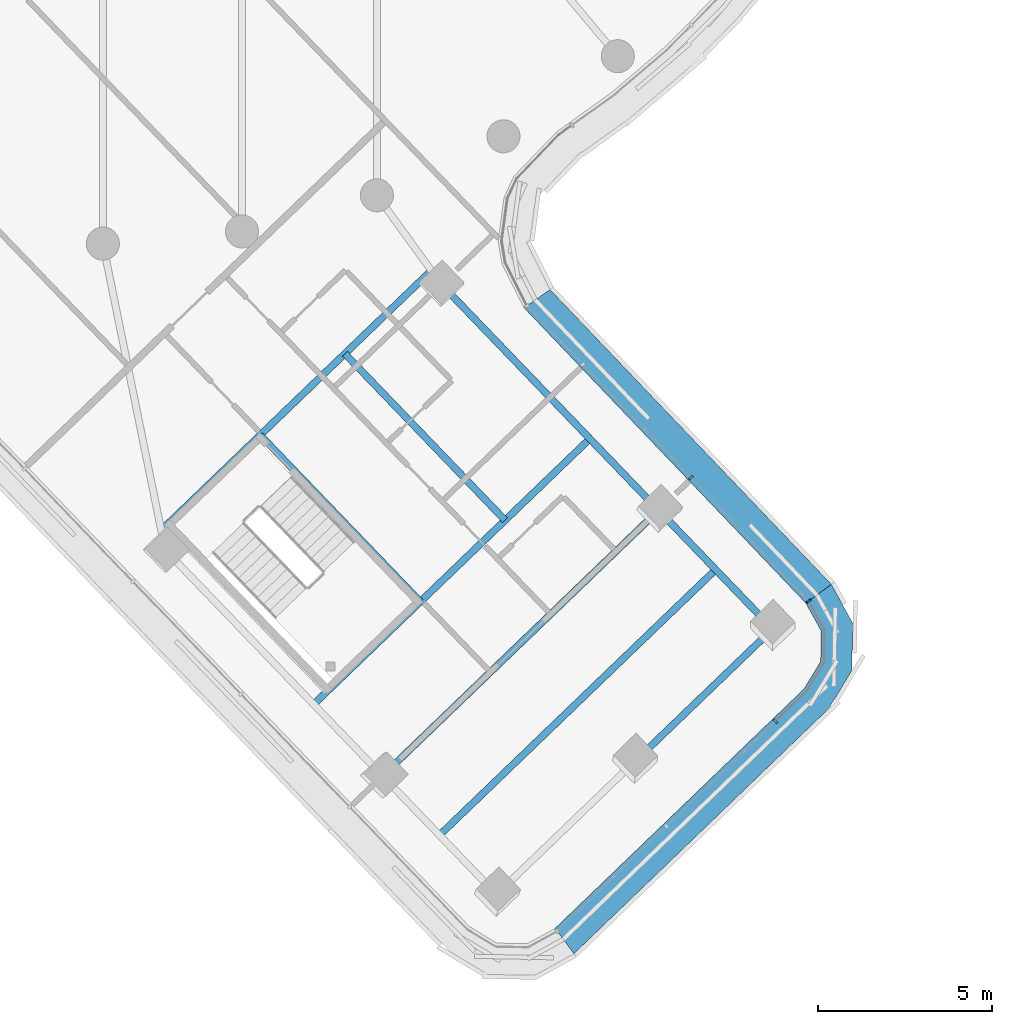
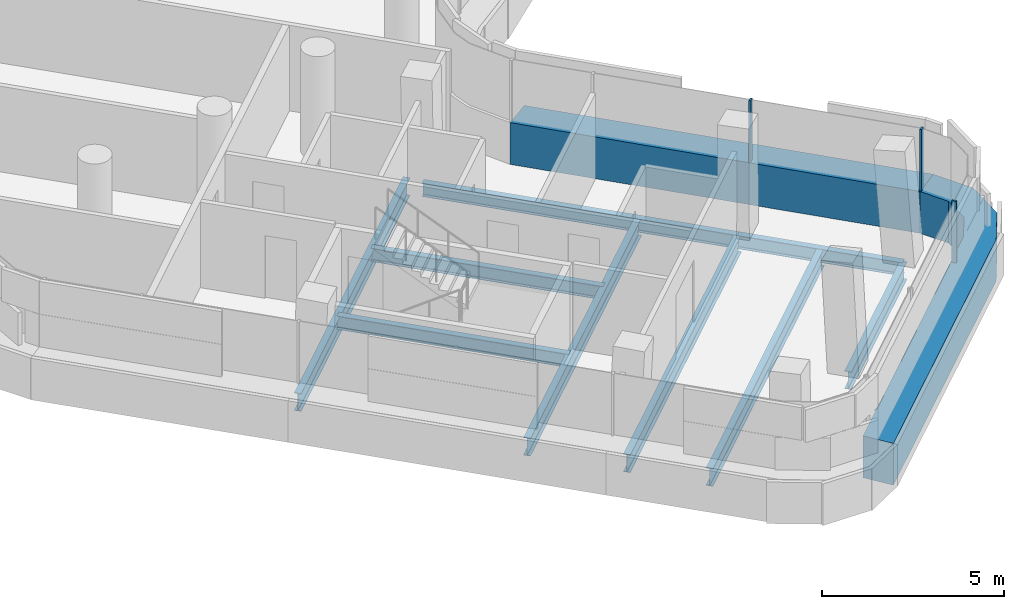
# One storey, part 6 of 34: 9 beams, 5 members, 2 elements without a shape of their own.
"""IFC4 building model written with IfcOpenShell, lengths in metres."""

import ifcopenshell
import ifcopenshell.guid

model = None  # the IFC model being written
_history = None  # IfcOwnerHistory: only IFC2X3 demands one
_inside = {}  # id of a spatial element -> (the spatial element, [elements in it])
_under = {}  # id of a project, library or spatial element -> (it, [spatial elements below it])
_declared = {}  # id of a project -> (the project, [libraries it declares])
_typed = {}  # id of a type object -> (the type object, [elements of that type])
_made_of = {}  # id of a material, layer set ... -> (it, [elements and type objects made of it])


def new_model(schema):
    """Start an empty IFC model of exactly this schema.

    Asked for "IFC4X3", IfcOpenShell would pick the latest addendum, in which some entities
    have other attributes; the version numbers below select the first issue.
    IFC2X3 requires an IfcOwnerHistory on every rooted entity: one is made here for all.
    """
    global model, _history
    if schema == "IFC4X3":
        model = ifcopenshell.file(schema_version=(4, 3, 0, 0))
    else:
        model = ifcopenshell.file(schema=schema)
    _inside.clear()
    _under.clear()
    _declared.clear()
    _typed.clear()
    _made_of.clear()
    _history = None
    if model.schema == "IFC2X3":
        org = make("IfcOrganization", Name="unknown")
        user = make(
            "IfcPersonAndOrganization",
            ThePerson=make("IfcPerson", FamilyName="unknown"),
            TheOrganization=org,
        )
        app = make(
            "IfcApplication",
            ApplicationDeveloper=org,
            Version="unknown",
            ApplicationFullName="unknown",
            ApplicationIdentifier="unknown",
        )
        _history = make(
            "IfcOwnerHistory",
            OwningUser=user,
            OwningApplication=app,
            ChangeAction="ADDED",
            CreationDate=0,
        )
    return model


def make(cls, **values):
    """One entity of the class cls with the attributes given. An attribute that is None is left unset."""
    return model.create_entity(
        cls, **{name: value for name, value in values.items() if value is not None}
    )


def rooted(cls, **values):
    """An entity with a GlobalId (a new one), such as an element, a storey or a relation."""
    return make(cls, GlobalId=ifcopenshell.guid.new(), OwnerHistory=_history, **values)


def si_unit(unit_type, name, prefix=None):
    """IfcSIUnit, for example si_unit("LENGTHUNIT", "METRE", prefix="MILLI")."""
    return make("IfcSIUnit", UnitType=unit_type, Prefix=prefix, Name=name)


def assignment(units):
    """IfcUnitAssignment: the units of a project."""
    return None if units is None else make("IfcUnitAssignment", Units=units)


def point(xyz):
    """IfcCartesianPoint."""
    return None if xyz is None else make("IfcCartesianPoint", Coordinates=xyz)


def direction(xyz):
    """IfcDirection."""
    return None if xyz is None else make("IfcDirection", DirectionRatios=xyz)


def frame(location, z_axis=None, x_axis=None):
    """IfcAxis2Placement3D, a coordinate frame: its origin and axes. An axis left out is left unset."""
    return make(
        "IfcAxis2Placement3D",
        Location=point(location),
        Axis=direction(z_axis),
        RefDirection=direction(x_axis),
    )


def frame_2d(location, x_axis=None):
    """IfcAxis2Placement2D, a coordinate frame in the plane: its origin and x axis."""
    return make(
        "IfcAxis2Placement2D", Location=point(location), RefDirection=direction(x_axis)
    )


def origin():
    """The frame at (0, 0, 0) with its axes left unset."""
    return frame((0.0, 0.0, 0.0))


def origin_2d():
    """The frame at (0, 0) in the plane with its x axis left unset."""
    return frame_2d((0.0, 0.0))


def place(relative_to, where):
    """IfcLocalPlacement: puts the frame where relative to a parent placement (None: the world)."""
    return make(
        "IfcLocalPlacement", PlacementRelTo=relative_to, RelativePlacement=where
    )


def context(
    kind, dimensions, precision=None, world=None, true_north=None, identifier=None
):
    """IfcGeometricRepresentationContext, for example the 3D "Model" context."""
    return make(
        "IfcGeometricRepresentationContext",
        ContextIdentifier=identifier,
        ContextType=kind,
        CoordinateSpaceDimension=dimensions,
        Precision=precision,
        WorldCoordinateSystem=world,
        TrueNorth=true_north,
    )


def subcontext(parent, identifier, kind, view, scale=None):
    """IfcGeometricRepresentationSubContext, for example "Body" below "Model"."""
    return make(
        "IfcGeometricRepresentationSubContext",
        ContextIdentifier=identifier,
        ContextType=kind,
        ParentContext=parent,
        TargetScale=scale,
        TargetView=view,
    )


def project(units=None, contexts=None):
    """IfcProject with its units and contexts."""
    return rooted(
        "IfcProject",
        Name="project",
        RepresentationContexts=contexts,
        UnitsInContext=assignment(units),
    )


def spatial(cls, under=None, at=None, **own):
    """A site, building, storey or space (cls), placed at a placement, below another one or the project."""
    s = rooted(cls, ObjectPlacement=at, **own)
    if under is not None:
        _under.setdefault(under.id(), (under, []))[1].append(s)
    return s


def polyline(points):
    """IfcPolyline through the points."""
    return make("IfcPolyline", Points=[point(p) for p in points])


def profile(cls, at=None, kind="AREA", **sizes):
    """A parametric profile (cls). Its sizes go by their IFC names, for example OverallWidth=200.0."""
    return make(cls, ProfileType=kind, Position=at, **sizes)


def rectangle(**sizes):
    """IfcRectangleProfileDef."""
    return profile("IfcRectangleProfileDef", **sizes)


def i_section(**sizes):
    """IfcIShapeProfileDef."""
    return profile("IfcIShapeProfileDef", **sizes)


def outline(outer, holes=None, kind="AREA"):
    """IfcArbitraryClosedProfileDef: a profile drawn as a closed curve; with holes, ...WithVoids."""
    if holes is None:
        return make("IfcArbitraryClosedProfileDef", ProfileType=kind, OuterCurve=outer)
    return make(
        "IfcArbitraryProfileDefWithVoids",
        ProfileType=kind,
        OuterCurve=outer,
        InnerCurves=holes,
    )


def extrude(swept, where, along, depth):
    """IfcExtrudedAreaSolid: the profile swept, set in the frame where, extruded along a direction by depth."""
    return make(
        "IfcExtrudedAreaSolid",
        SweptArea=swept,
        Position=where,
        ExtrudedDirection=direction(along),
        Depth=depth,
    )


def shape(context_of_items, identifier, shape_type, items):
    """IfcShapeRepresentation: the items that make up one representation, for example the "Body"."""
    return make(
        "IfcShapeRepresentation",
        ContextOfItems=context_of_items,
        RepresentationIdentifier=identifier,
        RepresentationType=shape_type,
        Items=items,
    )


def material(Name=None, Category=None):
    """IfcMaterial."""
    return make("IfcMaterial", Name=Name, Category=Category)


def layer(
    of_material, thickness, ventilated=None, Name=None, Category=None, Priority=None
):
    """IfcMaterialLayer: one layer of a wall or slab, of a material (None: an air gap)."""
    return make(
        "IfcMaterialLayer",
        Material=of_material,
        LayerThickness=thickness,
        IsVentilated=ventilated,
        Name=Name,
        Category=Category,
        Priority=Priority,
    )


def layer_set(layers, Name=None):
    """IfcMaterialLayerSet."""
    return make("IfcMaterialLayerSet", MaterialLayers=layers, LayerSetName=Name)


def material_profile(
    of_material, cross_section, Name=None, Category=None, Priority=None
):
    """IfcMaterialProfile: a cross section and its material."""
    return make(
        "IfcMaterialProfile",
        Name=Name,
        Material=of_material,
        Profile=cross_section,
        Priority=Priority,
        Category=Category,
    )


def profile_set(profiles, Name=None, composite=None):
    """IfcMaterialProfileSet."""
    return make(
        "IfcMaterialProfileSet",
        Name=Name,
        MaterialProfiles=profiles,
        CompositeProfile=composite,
    )


def made_of(thing, what):
    """Note that an element or type object is made of a material, layer set ...; save() writes the relation."""
    if what is not None:
        _made_of.setdefault(what.id(), (what, []))[1].append(thing)
    return thing


def type_object(cls, material=None, **own):
    """A type object (cls), such as IfcWallType, which elements share."""
    return made_of(rooted(cls, **own), material)


def element(
    cls,
    number,
    at=None,
    inside=None,
    cuts=None,
    type_object=None,
    material=None,
    context=None,
    identifier="Body",
    shape_type=None,
    held_by="IfcProductDefinitionShape",
    body=None,
    shapes=None,
    **own,
):
    """One element of the class cls, such as IfcWall. Its Tag is "e" and its number.

    at: its placement. inside: the storey or other place that contains it. cuts: it is an
    opening in that element (IfcRelVoidsElement). A single representation is given by context,
    identifier, shape_type and body (its items); several are given by shapes. held_by: the class
    of the entity that holds the representations. save() writes the other relations.
    """
    e = rooted(cls, Tag="e%d" % number, ObjectPlacement=at, **own)
    if body is not None:
        shapes = [shape(context, identifier, shape_type, body)]
    if shapes is not None:
        e.Representation = make(held_by, Representations=shapes)
    if inside is not None:
        _inside.setdefault(inside.id(), (inside, []))[1].append(e)
    if cuts is not None:
        rooted(
            "IfcRelVoidsElement", RelatingBuildingElement=cuts, RelatedOpeningElement=e
        )
    if type_object is not None:
        _typed.setdefault(type_object.id(), (type_object, []))[1].append(e)
    return made_of(e, material)


def aggregate(whole, parts):
    """IfcRelAggregates: a whole, such as a stair, and the parts it consists of."""
    return rooted("IfcRelAggregates", RelatingObject=whole, RelatedObjects=parts)


def save(model, path):
    """Write the relations noted so far, then the file.

    IfcRelAggregates (storeys below a building ...), IfcRelContainedInSpatialStructure (elements
    in a storey), IfcRelDefinesByType, IfcRelAssociatesMaterial and IfcRelDeclares: one each for
    every whole, place, type object, material and project.
    """
    for whole, parts in _under.values():
        aggregate(whole, parts)
    for where, things in _inside.values():
        rooted(
            "IfcRelContainedInSpatialStructure",
            RelatedElements=things,
            RelatingStructure=where,
        )
    for kind, things in _typed.values():
        rooted("IfcRelDefinesByType", RelatedObjects=things, RelatingType=kind)
    for what, things in _made_of.values():
        rooted("IfcRelAssociatesMaterial", RelatedObjects=things, RelatingMaterial=what)
    for by, libraries in _declared.values():
        rooted("IfcRelDeclares", RelatingContext=by, RelatedDefinitions=libraries)
    model.write(path)


model = new_model("IFC4")

# Units and contexts
model_context = context("Model", 3, precision=1e-05, world=origin(), true_north=direction((0.0, 1.0)))
body_context = subcontext(model_context, "Body", "Model", "MODEL_VIEW")
ifc_project = project(units=[si_unit("LENGTHUNIT", "METRE"), si_unit("AREAUNIT", "SQUARE_METRE"), si_unit("VOLUMEUNIT", "CUBIC_METRE"), si_unit("PLANEANGLEUNIT", "RADIAN"), si_unit("MASSUNIT", "GRAM", prefix="KILO")], contexts=[model_context])

# Site, building, storey
site_placement = place(None, origin())
site = spatial("IfcSite", under=ifc_project, at=site_placement, CompositionType="ELEMENT")
building_placement = place(site_placement, origin())
building = spatial("IfcBuilding", under=site, at=building_placement, Name="Tamarind Cross Interchange Tower", CompositionType="ELEMENT")
storey_placement = place(building_placement, frame((0.0, 0.0, 193.300048828125)))
storey = spatial("IfcBuildingStorey", under=building, at=storey_placement, Name="L48", CompositionType="ELEMENT", Elevation=193.300048828125)

# Beams
ifc_material_1 = material(Name="Steel Q355B", Category="steel")
ifc_material_profile_1 = material_profile(ifc_material_1, i_section(OverallWidth=0.198974609375, OverallDepth=0.446044921875, WebThickness=0.008056640625, FlangeThickness=0.011962890625, FilletRadius=0.012939453125, at=origin_2d()), Name="HN 446x199x8x12")
ifc_profile_set_1 = profile_set([ifc_material_profile_1], Name="Steel Q355B")
beam_type_1 = type_object("IfcBeamType", Name="Composite beam HN 446x199x8x12 Q355B", PredefinedType="BEAM", material=ifc_profile_set_1)
beam_1_placement = place(storey_placement, frame((19.231201171875, -34.062255859375, -0.363037109375), z_axis=(-0.693201651519, 0.720743692537, 0.0), x_axis=(-0.720743692537, -0.693201651519, 0.0)))
element("IfcBeam", 1, at=beam_1_placement, inside=storey, type_object=beam_type_1, Name="Beam S-edgeep2", PredefinedType="BEAM", context=body_context, shape_type="SweptSolid", body=[
    extrude(i_section(OverallWidth=0.198974609375, OverallDepth=0.446044921875, WebThickness=0.008056640625, FlangeThickness=0.011962890625, FilletRadius=0.012939453125, at=origin_2d()), origin(), (0.0, 0.0, 1.0), 4.724609375),
])
beam_2_placement = place(storey_placement, frame((15.9560546875, -30.656982421875, -0.363037109375), z_axis=(-0.693164551899, 0.720779372618, 0.0), x_axis=(-0.720779372618, -0.693164551899, 0.0)))
element("IfcBeam", 2, at=beam_2_placement, inside=storey, type_object=beam_type_1, Name="Beam S-edgeep3", PredefinedType="BEAM", context=body_context, shape_type="SweptSolid", body=[
    extrude(i_section(OverallWidth=0.198974609375, OverallDepth=0.446044921875, WebThickness=0.008056640625, FlangeThickness=0.011962890625, FilletRadius=0.012939453125, at=origin_2d()), origin(), (0.0, 0.0, 1.0), 9.0),
])
for number, where, z_axis, x_axis, name in (
    (3, (4.51611328125, -28.499267578125, -0.363037109375), (0.693155041609, -0.720788518424, 0.0), (0.720788518424, 0.693155041609, 0.0), "Beam S-tr1"),
    (4, (6.94873046875, -26.15966796875, -0.363037109375), (0.693155041609, -0.720788518424, 0.0), (0.720788518424, 0.693155041609, 0.0), "Beam S-stripp"),
):
    element("IfcBeam", number, at=place(storey_placement, frame(where, z_axis=z_axis, x_axis=x_axis)), inside=storey, type_object=beam_type_1, Name=name, PredefinedType="BEAM", context=body_context, shape_type="SweptSolid", body=[
        extrude(i_section(OverallWidth=0.198974609375, OverallDepth=0.446044921875, WebThickness=0.008056640625, FlangeThickness=0.011962890625, FilletRadius=0.012939453125, at=origin_2d()), origin(), (0.0, 0.0, 1.0), 6.635009765625),
    ])
ifc_material_profile_2 = material_profile(ifc_material_1, i_section(OverallWidth=0.198974609375, OverallDepth=0.595947265625, WebThickness=0.010009765625, FlangeThickness=0.014892578125, FilletRadius=0.012939453125, at=origin_2d()), Name="HN 596x199x10x15")
ifc_profile_set_2 = profile_set([ifc_material_profile_2], Name="Steel Q355B")
beam_type_2 = type_object("IfcBeamType", Name="Composite beam HN 596x199x10x15 Q355B", PredefinedType="BEAM", material=ifc_profile_set_2)
beam_3_placement = place(storey_placement, frame((15.266845703125, -37.874755859375, -0.43798828125), z_axis=(0.720776766867, 0.693167261449, 0.0), x_axis=(-0.693167261449, 0.720776766867, 0.0)))
element("IfcBeam", 5, at=beam_3_placement, inside=storey, type_object=beam_type_2, Name="Beam S-tip1", PredefinedType="BEAM", context=body_context, shape_type="SweptSolid", body=[
    extrude(i_section(OverallWidth=0.198974609375, OverallDepth=0.595947265625, WebThickness=0.010009765625, FlangeThickness=0.014892578125, FilletRadius=0.012939453125, at=origin_2d()), origin(), (0.0, 0.0, 1.0), 5.5),
])
beam_4_placement = place(storey_placement, frame((1.674560546875, -31.23193359375, -0.43798828125), z_axis=(0.7207672264, 0.693177181785, 0.0), x_axis=(-0.693177181785, 0.7207672264, 0.0)))
element("IfcBeam", 6, at=beam_4_placement, inside=storey, type_object=beam_type_2, Name="Beam S-x298", PredefinedType="BEAM", context=body_context, shape_type="SweptSolid", body=[
    extrude(i_section(OverallWidth=0.198974609375, OverallDepth=0.595947265625, WebThickness=0.010009765625, FlangeThickness=0.014892578125, FilletRadius=0.012939453125, at=origin_2d()), origin(), (0.0, 0.0, 1.0), 10.76025390625),
])
for number, where, z_axis, x_axis, name in (
    (7, (6.052001953125, -36.2275390625, -0.43798828125), (0.720777191632, 0.693166819765, 0.0), (-0.693166819765, 0.720777191632, 0.0), "Beam S-x364"),
    (8, (8.027587890625, -38.28173828125, -0.43798828125), (0.720777191632, 0.693166819765, 0.0), (-0.693166819765, 0.720777191632, 0.0), "Beam S-x393"),
    (9, (9.6650390625, -39.984619140625, -0.43798828125), (0.720766102754, 0.693178350153, 0.0), (-0.693178350153, 0.720766102754, 0.0), "Beam S-x417"),
):
    element("IfcBeam", number, at=place(storey_placement, frame(where, z_axis=z_axis, x_axis=x_axis)), inside=storey, type_object=beam_type_2, Name=name, PredefinedType="BEAM", context=body_context, shape_type="SweptSolid", body=[
        extrude(i_section(OverallWidth=0.198974609375, OverallDepth=0.595947265625, WebThickness=0.010009765625, FlangeThickness=0.014892578125, FilletRadius=0.012939453125, at=origin_2d()), origin(), (0.0, 0.0, 1.0), 11.0),
    ])

# Curtain wall, member
ifc_material_2 = material(Name="Aluminium 6063-T6", Category="aluminium")
ifc_layer = layer(ifc_material_2, 0.139892578125)
ifc_layer_set = layer_set([ifc_layer], Name="Aluminium 6063-T6")
curtain_wall_type = type_object("IfcCurtainWallType", Name="Hotel curtain wall, 4.5 m bays", PredefinedType="NOTDEFINED", material=ifc_layer_set)
curtain_wall_1_placement = place(storey_placement, origin())
curtain_wall_1 = element("IfcCurtainWall", 10, at=curtain_wall_1_placement, inside=storey, type_object=curtain_wall_type, Name="CWS-L48-04", PredefinedType="NOTDEFINED")
ifc_material_3 = material(Name="Aluminium and insulated spandrel panel", Category="aluminium")
member_type_1 = type_object("IfcMemberType", Name="Floor-edge blade transom", PredefinedType="USERDEFINED", material=ifc_material_3)
member_1_placement = place(storey_placement, origin())
member_1 = element("IfcMember", 11, at=member_1_placement, type_object=member_type_1, Name="CWT-L48-04", ObjectType="TRANSOM", PredefinedType="USERDEFINED", context=body_context, shape_type="SweptSolid", body=[
    extrude(outline(polyline([(12.984130859375, -42.657470703125), (20.135009765625, -35.780517578125), (20.608154296875, -34.996826171875), (20.625244140625, -34.12255859375), (20.1826171875, -33.320556640625), (20.914306640625, -32.783447265625), (21.52978515625, -33.89892578125), (21.503173828125, -35.255615234375), (20.84423828125, -36.34716796875), (13.522705078125, -43.388427734375), (12.984130859375, -42.657470703125)])), origin(), (0.0, 0.0, 1.0), 1.39990234375),
])

curtain_wall_2_placement = place(storey_placement, origin())
curtain_wall_2 = element("IfcCurtainWall", 12, at=curtain_wall_2_placement, inside=storey, type_object=curtain_wall_type, Name="CWS-L48-05", PredefinedType="NOTDEFINED")
member_2_placement = place(storey_placement, origin())
member_2 = element("IfcMember", 13, at=member_2_placement, type_object=member_type_1, Name="CWT-L48-05", ObjectType="TRANSOM", PredefinedType="USERDEFINED", context=body_context, shape_type="SweptSolid", body=[
    extrude(outline(polyline([(20.1826171875, -33.320556640625), (12.092529296875, -24.843994140625), (12.836181640625, -24.31982421875), (20.914306640625, -32.783447265625), (20.1826171875, -33.320556640625)])), origin(), (0.0, 0.0, 1.0), 1.39990234375),
])

# Member
ifc_material_profile_3 = material_profile(ifc_material_2, rectangle(XDim=0.06005859375, YDim=0.139892578125, at=origin_2d()), Name="Mullion CW2")
ifc_profile_set_3 = profile_set([ifc_material_profile_3], Name="Aluminium 6063-T6")
member_type_2 = type_object("IfcMemberType", Name="Mullion CW2", PredefinedType="MULLION", material=ifc_profile_set_3)
member_3_placement = place(storey_placement, frame((19.308349609375, -36.714111328125, 1.39990234375), z_axis=(0.0, 0.0, 1.0), x_axis=(0.720773753988, 0.69317039432, 0.0)))
member_3 = element("IfcMember", 14, at=member_3_placement, type_object=member_type_2, Name="CWM-L48-04-02", PredefinedType="MULLION", context=body_context, shape_type="SweptSolid", body=[
    extrude(rectangle(XDim=0.06005859375, YDim=0.139892578125, at=origin_2d()), origin(), (0.0, 0.0, 1.0), 2.06005859375),
])

aggregate(curtain_wall_1, [member_3, member_1])

member_4_placement = place(storey_placement, frame((20.263916015625, -33.2607421875, 1.39990234375), z_axis=(0.0, 0.0, 1.0), x_axis=(-0.591634017774, 0.80620666644, 0.0)))
member_4 = element("IfcMember", 15, at=member_4_placement, type_object=member_type_2, Name="CWM-L48-05-00", PredefinedType="MULLION", context=body_context, shape_type="SweptSolid", body=[
    extrude(rectangle(XDim=0.06005859375, YDim=0.139892578125, at=origin_2d()), origin(), (0.0, 0.0, 1.0), 2.06005859375),
])

member_5_placement = place(storey_placement, frame((16.886962890625, -29.72265625, 1.39990234375), z_axis=(0.0, 0.0, 1.0), x_axis=(-0.690434308615, 0.723395096395, 0.0)))
member_5 = element("IfcMember", 16, at=member_5_placement, type_object=member_type_2, Name="CWM-L48-05-01", PredefinedType="MULLION", context=body_context, shape_type="SweptSolid", body=[
    extrude(rectangle(XDim=0.06005859375, YDim=0.139892578125, at=origin_2d()), origin(), (0.0, 0.0, 1.0), 2.06005859375),
])

aggregate(curtain_wall_2, [member_4, member_5, member_2])

save(model, "model.ifc")
